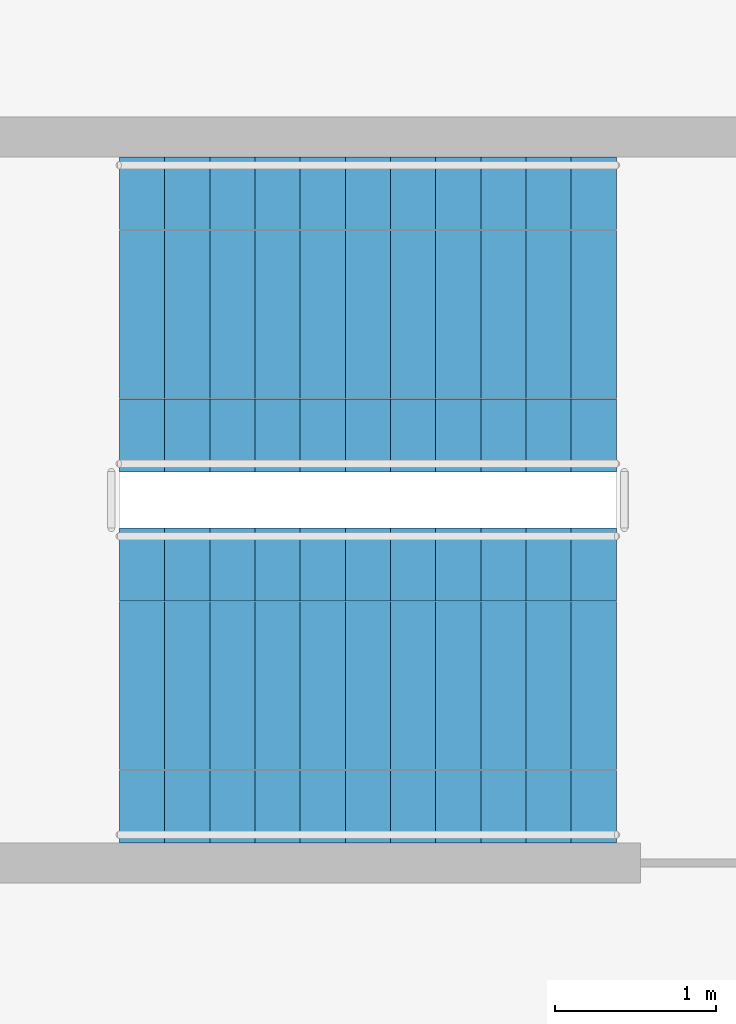
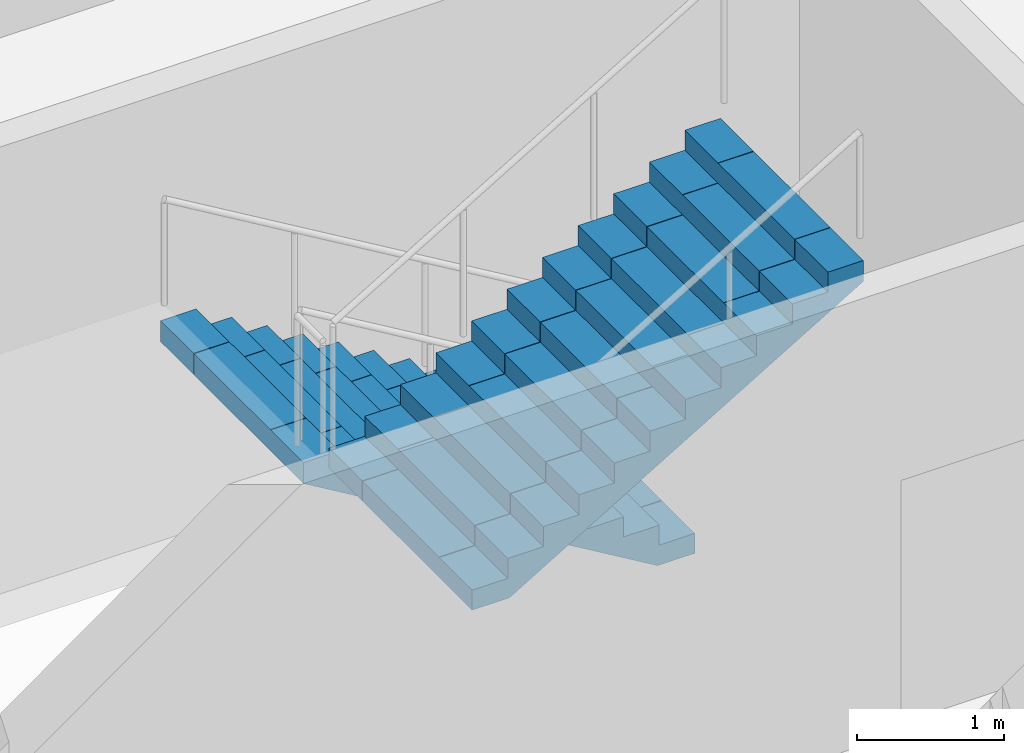
# One storey, part 13 of 15: 2 stair flights, 1 element without a shape of its own.
"""IFC4 building model written with IfcOpenShell, lengths in metres."""

from ifc_helpers import new_model, si_unit, direction, frame, origin, place, context, subcontext, project, spatial, polyline, outline, extrude, material, type_object, element, aggregate, save


model = new_model("IFC4")

# Units and contexts
model_context = context("Model", 3, precision=1e-05, world=origin(), true_north=direction((0.0, 1.0)))
body_context = subcontext(model_context, "Body", "Model", "MODEL_VIEW")
ifc_project = project(units=[si_unit("LENGTHUNIT", "METRE"), si_unit("AREAUNIT", "SQUARE_METRE"), si_unit("VOLUMEUNIT", "CUBIC_METRE"), si_unit("PLANEANGLEUNIT", "RADIAN"), si_unit("MASSUNIT", "GRAM", prefix="KILO")], contexts=[model_context])

# Site, building, storey
site_placement = place(None, origin())
site = spatial("IfcSite", under=ifc_project, at=site_placement, CompositionType="ELEMENT")
building_placement = place(site_placement, origin())
building = spatial("IfcBuilding", under=site, at=building_placement, Name="Corbelhall Arena Tower", CompositionType="ELEMENT")
storey_placement = place(building_placement, frame((0.0, 0.0, 196.0)))
storey = spatial("IfcBuildingStorey", under=building, at=storey_placement, Name="L40", CompositionType="ELEMENT", Elevation=196.0)

# Stair, stair flights
ifc_material = material(Name="Concrete C40/50", Category="concrete")
stair_type = type_object("IfcStairType", Name="IN-ST-TOWER", PredefinedType="HALF_TURN_STAIR", material=ifc_material)
stair_placement = place(storey_placement, origin())
stair = element("IfcStair", 1, at=stair_placement, inside=storey, type_object=stair_type, Name="L40 Exit stair ST3", PredefinedType="HALF_TURN_STAIR")
stair_flight_type = type_object("IfcStairFlightType", Name="IN-SFL-RC", PredefinedType="STRAIGHT", material=ifc_material)
stair_flight_1_placement = place(storey_placement, frame((11.425048828125, 15.699951171875, 0.0), z_axis=(0.0, 0.0, 1.0), x_axis=(-1.0, 0.0, 0.0)))
stair_flight_1 = element("IfcStairFlight", 2, at=stair_flight_1_placement, type_object=stair_flight_type, Name="ST3 flight 1", NumberOfRisers=12, NumberOfTreads=11, PredefinedType="STRAIGHT", RiserHeight=0.166666667, TreadLength=0.28, context=body_context, shape_type="SweptSolid", body=[
    extrude(outline(polyline([(0.0, 0.0), (0.0, 0.166748046875), (0.280029296875, 0.166748046875), (0.280029296875, 0.333251953125), (0.56005859375, 0.333251953125), (0.56005859375, 0.5), (0.840087890625, 0.5), (0.840087890625, 0.666748046875), (1.1201171875, 0.666748046875), (1.1201171875, 0.833251953125), (1.39990234375, 0.833251953125), (1.39990234375, 1.0), (1.679931640625, 1.0), (1.679931640625, 1.166748046875), (1.9599609375, 1.166748046875), (1.9599609375, 1.333251953125), (2.239990234375, 1.333251953125), (2.239990234375, 1.5), (2.52001953125, 1.5), (2.52001953125, 1.666748046875), (2.800048828125, 1.666748046875), (2.800048828125, 1.833251953125), (3.080078125, 1.833251953125), (3.080078125, 2.0), (3.080078125, 1.658935546875), (0.29296875, 0.0), (0.0, 0.0)])), frame((0.0, 0.97509765625, 0.0), z_axis=(0.0, -1.0, 0.0), x_axis=(1.0, 0.0, 0.0)), (0.0, 0.0, 1.0), 0.449951171875),
    extrude(outline(polyline([(0.0, 0.0), (0.0, 0.166748046875), (0.280029296875, 0.166748046875), (0.280029296875, 0.333251953125), (0.56005859375, 0.333251953125), (0.56005859375, 0.5), (0.840087890625, 0.5), (0.840087890625, 0.666748046875), (1.1201171875, 0.666748046875), (1.1201171875, 0.833251953125), (1.39990234375, 0.833251953125), (1.39990234375, 1.0), (1.679931640625, 1.0), (1.679931640625, 1.166748046875), (1.9599609375, 1.166748046875), (1.9599609375, 1.333251953125), (2.239990234375, 1.333251953125), (2.239990234375, 1.5), (2.52001953125, 1.5), (2.52001953125, 1.666748046875), (2.800048828125, 1.666748046875), (2.800048828125, 1.833251953125), (3.080078125, 1.833251953125), (3.080078125, 2.0), (3.080078125, 1.658935546875), (0.29296875, 0.0), (0.0, 0.0)])), frame((0.0, 0.52099609375, 0.0), z_axis=(0.0, -1.0, 0.0), x_axis=(1.0, 0.0, 0.0)), (0.0, 0.0, 1.0), 1.0419921875),
    extrude(outline(polyline([(0.0, 0.0), (0.0, 0.166748046875), (0.280029296875, 0.166748046875), (0.280029296875, 0.333251953125), (0.56005859375, 0.333251953125), (0.56005859375, 0.5), (0.840087890625, 0.5), (0.840087890625, 0.666748046875), (1.1201171875, 0.666748046875), (1.1201171875, 0.833251953125), (1.39990234375, 0.833251953125), (1.39990234375, 1.0), (1.679931640625, 1.0), (1.679931640625, 1.166748046875), (1.9599609375, 1.166748046875), (1.9599609375, 1.333251953125), (2.239990234375, 1.333251953125), (2.239990234375, 1.5), (2.52001953125, 1.5), (2.52001953125, 1.666748046875), (2.800048828125, 1.666748046875), (2.800048828125, 1.833251953125), (3.080078125, 1.833251953125), (3.080078125, 2.0), (3.080078125, 1.658935546875), (0.29296875, 0.0), (0.0, 0.0)])), frame((0.0, -0.52490234375, 0.0), z_axis=(0.0, -1.0, 0.0), x_axis=(1.0, 0.0, 0.0)), (0.0, 0.0, 1.0), 0.449951171875),
])
stair_flight_2_placement = place(storey_placement, frame((8.344970703125, 13.39990234375, 2.0), z_axis=(0.0, 0.0, 1.0), x_axis=(1.0, 0.0, 0.0)))
stair_flight_2 = element("IfcStairFlight", 3, at=stair_flight_2_placement, type_object=stair_flight_type, Name="ST3 flight 2", NumberOfRisers=12, NumberOfTreads=11, PredefinedType="STRAIGHT", RiserHeight=0.166666667, TreadLength=0.28, context=body_context, shape_type="SweptSolid", body=[
    extrude(outline(polyline([(0.0, 0.0), (0.0, 0.166748046875), (0.280029296875, 0.166748046875), (0.280029296875, 0.333251953125), (0.56005859375, 0.333251953125), (0.56005859375, 0.5), (0.840087890625, 0.5), (0.840087890625, 0.666748046875), (1.1201171875, 0.666748046875), (1.1201171875, 0.833251953125), (1.39990234375, 0.833251953125), (1.39990234375, 1.0), (1.679931640625, 1.0), (1.679931640625, 1.166748046875), (1.9599609375, 1.166748046875), (1.9599609375, 1.333251953125), (2.239990234375, 1.333251953125), (2.239990234375, 1.5), (2.52001953125, 1.5), (2.52001953125, 1.666748046875), (2.800048828125, 1.666748046875), (2.800048828125, 1.833251953125), (3.080078125, 1.833251953125), (3.080078125, 2.0), (3.080078125, 1.658935546875), (0.29296875, 0.0), (0.0, 0.0)])), frame((0.0, 0.97509765625, 0.0), z_axis=(0.0, -1.0, 0.0), x_axis=(1.0, 0.0, 0.0)), (0.0, 0.0, 1.0), 0.449951171875),
    extrude(outline(polyline([(0.0, 0.0), (0.0, 0.166748046875), (0.280029296875, 0.166748046875), (0.280029296875, 0.333251953125), (0.56005859375, 0.333251953125), (0.56005859375, 0.5), (0.840087890625, 0.5), (0.840087890625, 0.666748046875), (1.1201171875, 0.666748046875), (1.1201171875, 0.833251953125), (1.39990234375, 0.833251953125), (1.39990234375, 1.0), (1.679931640625, 1.0), (1.679931640625, 1.166748046875), (1.9599609375, 1.166748046875), (1.9599609375, 1.333251953125), (2.239990234375, 1.333251953125), (2.239990234375, 1.5), (2.52001953125, 1.5), (2.52001953125, 1.666748046875), (2.800048828125, 1.666748046875), (2.800048828125, 1.833251953125), (3.080078125, 1.833251953125), (3.080078125, 2.0), (3.080078125, 1.658935546875), (0.29296875, 0.0), (0.0, 0.0)])), frame((0.0, 0.52099609375, 0.0), z_axis=(0.0, -1.0, 0.0), x_axis=(1.0, 0.0, 0.0)), (0.0, 0.0, 1.0), 1.0419921875),
    extrude(outline(polyline([(0.0, 0.0), (0.0, 0.166748046875), (0.280029296875, 0.166748046875), (0.280029296875, 0.333251953125), (0.56005859375, 0.333251953125), (0.56005859375, 0.5), (0.840087890625, 0.5), (0.840087890625, 0.666748046875), (1.1201171875, 0.666748046875), (1.1201171875, 0.833251953125), (1.39990234375, 0.833251953125), (1.39990234375, 1.0), (1.679931640625, 1.0), (1.679931640625, 1.166748046875), (1.9599609375, 1.166748046875), (1.9599609375, 1.333251953125), (2.239990234375, 1.333251953125), (2.239990234375, 1.5), (2.52001953125, 1.5), (2.52001953125, 1.666748046875), (2.800048828125, 1.666748046875), (2.800048828125, 1.833251953125), (3.080078125, 1.833251953125), (3.080078125, 2.0), (3.080078125, 1.658935546875), (0.29296875, 0.0), (0.0, 0.0)])), frame((0.0, -0.52490234375, 0.0), z_axis=(0.0, -1.0, 0.0), x_axis=(1.0, 0.0, 0.0)), (0.0, 0.0, 1.0), 0.449951171875),
])
aggregate(stair, [stair_flight_1, stair_flight_2])

save(model, "model.ifc")
